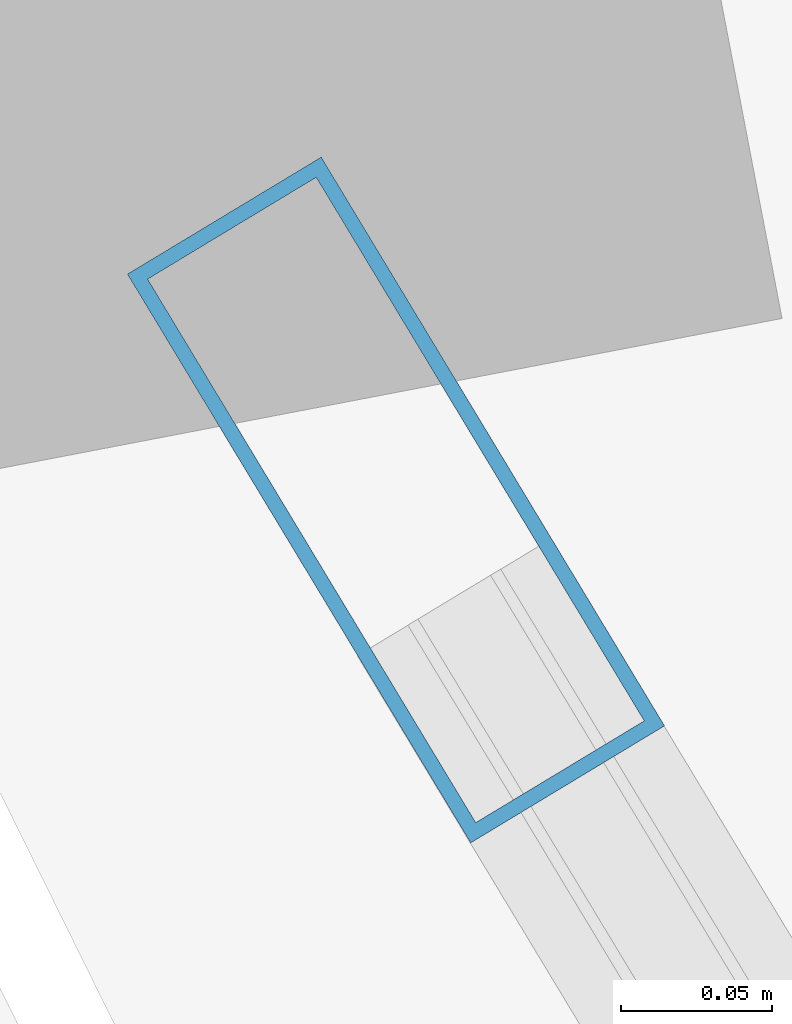
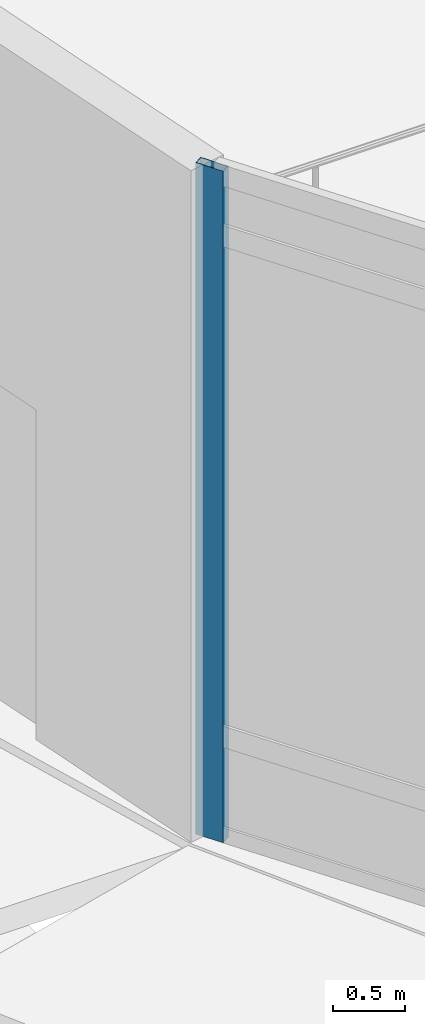
# One storey, part 10 of 40: 1 member, 1 element without a shape of its own.
"""IFC4 building model written with IfcOpenShell, lengths in metres."""

from ifc_helpers import new_model, si_unit, direction, frame, origin, origin_2d, place, context, subcontext, project, spatial, hollow_rectangle, extrude, material, layer, layer_set, material_profile, profile_set, type_object, element, aggregate, save


model = new_model("IFC4")

# Units and contexts
model_context = context("Model", 3, precision=1e-05, world=origin(), true_north=direction((0.0, 1.0)))
body_context = subcontext(model_context, "Body", "Model", "MODEL_VIEW")
ifc_project = project(units=[si_unit("LENGTHUNIT", "METRE"), si_unit("AREAUNIT", "SQUARE_METRE"), si_unit("VOLUMEUNIT", "CUBIC_METRE"), si_unit("PLANEANGLEUNIT", "RADIAN"), si_unit("MASSUNIT", "GRAM", prefix="KILO")], contexts=[model_context])

# Site, building, storey
site_placement = place(None, origin())
site = spatial("IfcSite", under=ifc_project, at=site_placement, CompositionType="ELEMENT")
building_placement = place(site_placement, origin())
building = spatial("IfcBuilding", under=site, at=building_placement, Name="Nuhasar Tower", CompositionType="ELEMENT")
storey_placement = place(building_placement, origin())
storey = spatial("IfcBuildingStorey", under=building, at=storey_placement, Name="L00", CompositionType="ELEMENT", Elevation=0.0)

# Curtain wall, member
ifc_material = material(Name="Aluminium 6063-T6", Category="aluminium")
ifc_layer = layer(ifc_material, 0.219970703125)
ifc_layer_set = layer_set([ifc_layer], Name="Aluminium 6063-T6")
curtain_wall_type = type_object("IfcCurtainWallType", Name="CW-PODIUM", PredefinedType="NOTDEFINED", material=ifc_layer_set)
curtain_wall_placement = place(storey_placement, origin())
curtain_wall = element("IfcCurtainWall", 1, at=curtain_wall_placement, inside=storey, type_object=curtain_wall_type, Name="L00 Podium Curtain Wall Bay 14", PredefinedType="NOTDEFINED")
ifc_material_profile = material_profile(ifc_material, hollow_rectangle(XDim=0.074951171875, YDim=0.219970703125, WallThickness=0.0048828125, at=origin_2d()), Name="CWM-1")
ifc_profile_set = profile_set([ifc_material_profile], Name="Aluminium 6063-T6")
member_type = type_object("IfcMemberType", Name="CW-MUL-S1", PredefinedType="MULLION", material=ifc_profile_set)
member_placement = place(storey_placement, frame((-1.008544921875, 19.406982421875, 0.0), z_axis=(0.0, 0.0, 1.0), x_axis=(0.856135297317, 0.516751732158, 0.0)))
member = element("IfcMember", 2, at=member_placement, type_object=member_type, Name="CW-P1 mullion 1", PredefinedType="MULLION", context=body_context, shape_type="SweptSolid", body=[
    extrude(hollow_rectangle(XDim=0.074951171875, YDim=0.219970703125, WallThickness=0.0048828125, at=origin_2d()), origin(), (0.0, 0.0, 1.0), 5.699951171875),
])
aggregate(curtain_wall, [member])

save(model, "model.ifc")
